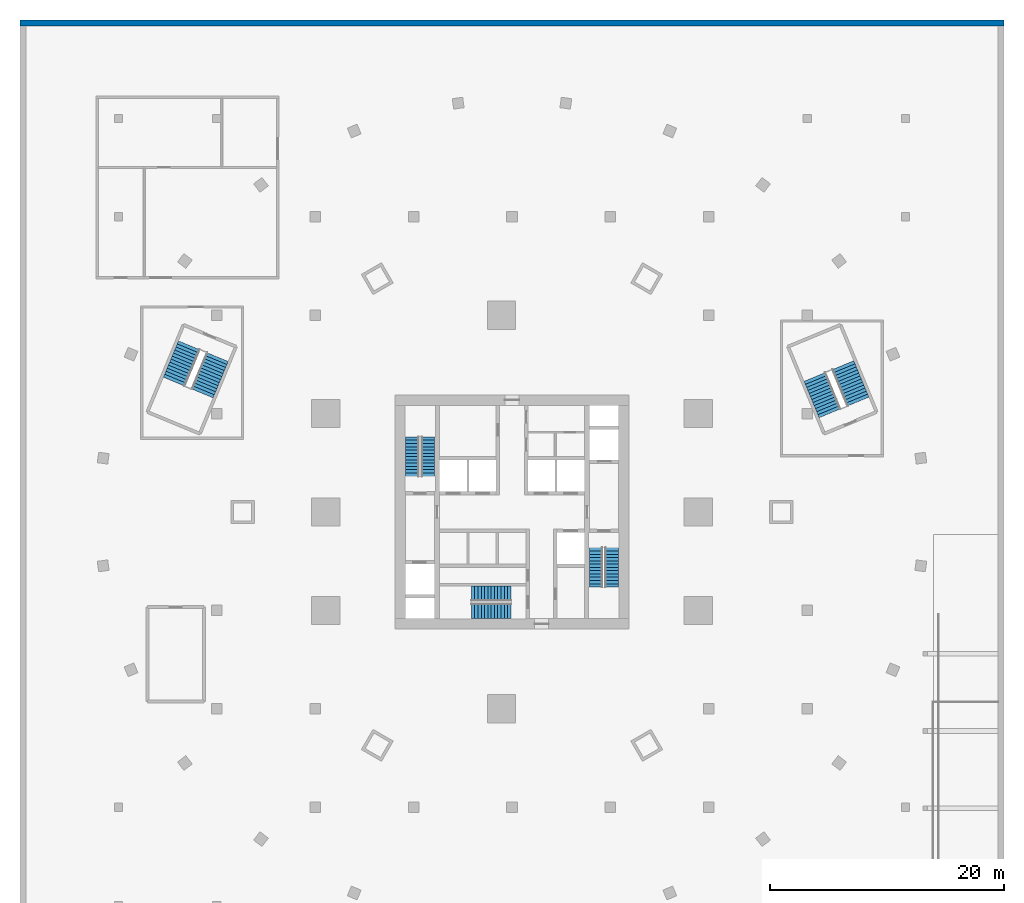
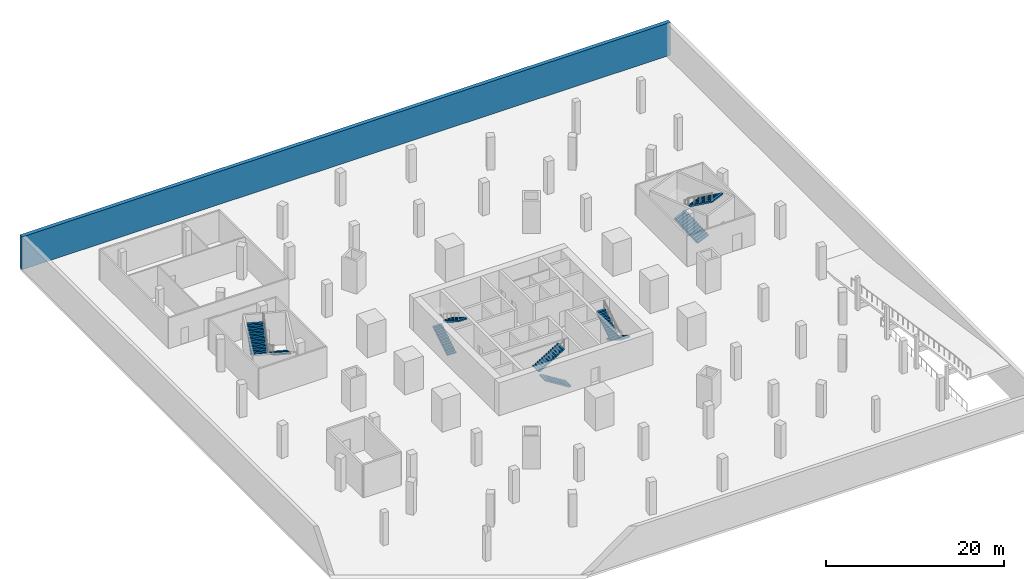
# One storey, part 7 of 9: 10 stair flights, 1 wall, 5 elements without a shape of their own.
"""IFC4 building model written with IfcOpenShell, lengths in metres."""

from ifc_helpers import new_model, si_unit, direction, frame, frame_2d, origin, place, context, subcontext, project, spatial, polyline, rectangle, outline, extrude, material, layer, layer_set, type_object, element, aggregate, save


model = new_model("IFC4")

# Units and contexts
model_context = context("Model", 3, precision=1e-05, world=origin(), true_north=direction((0.0, 1.0)))
body_context = subcontext(model_context, "Body", "Model", "MODEL_VIEW")
ifc_project = project(units=[si_unit("LENGTHUNIT", "METRE"), si_unit("AREAUNIT", "SQUARE_METRE"), si_unit("VOLUMEUNIT", "CUBIC_METRE"), si_unit("PLANEANGLEUNIT", "RADIAN"), si_unit("MASSUNIT", "GRAM", prefix="KILO")], contexts=[model_context])

# Site, building, storey
site_placement = place(None, origin())
site = spatial("IfcSite", under=ifc_project, at=site_placement, CompositionType="ELEMENT")
building_placement = place(site_placement, origin())
building = spatial("IfcBuilding", under=site, at=building_placement, Name="Golbaran Civic Tower", CompositionType="ELEMENT")
storey_placement = place(building_placement, frame((0.0, 0.0, -9.0)))
storey = spatial("IfcBuildingStorey", under=building, at=storey_placement, Name="B2", CompositionType="ELEMENT", Elevation=-9.0)

# Wall
ifc_material_1 = material(Name="Concrete C50/60", Category="concrete")
ifc_layer = layer(ifc_material_1, 0.5, Name="Concrete C50/60")
ifc_layer_set = layer_set([ifc_layer], Name="Concrete C50/60")
wall_type = type_object("IfcWallType", Name="BASEMENT RETAINING WALL CONCRETE 500", PredefinedType="SOLIDWALL", material=ifc_layer_set)
wall_placement = place(storey_placement, frame((-42.0, 41.75, 0.0), z_axis=(0.0, 0.0, 1.0), x_axis=(1.0, 0.0, 0.0)))
element("IfcWall", 1, at=wall_placement, inside=storey, type_object=wall_type, Name="Basement retaining wall N B2", PredefinedType="SOLIDWALL", context=body_context, shape_type="SweptSolid", body=[
    extrude(rectangle(XDim=84.0, YDim=0.5, at=frame_2d((42.0, 0.0))), origin(), (0.0, 0.0, 1.0), 4.5),
])

# Stair, stair flights
ifc_material_2 = material(Name="Concrete C35/45", Category="concrete")
stair_type_1 = type_object("IfcStairType", Name="EXIT STAIR 2500 x 7350, 4500 RISE", PredefinedType="HALF_TURN_STAIR", material=ifc_material_2)
stair_1_placement = place(storey_placement, origin())
stair_1 = element("IfcStair", 2, at=stair_1_placement, inside=storey, type_object=stair_type_1, Name="Stair S1 B2", PredefinedType="HALF_TURN_STAIR")
stair_flight_type_1 = type_object("IfcStairFlightType", Name="STAIR FLIGHT 1150 WIDE", PredefinedType="STRAIGHT", material=ifc_material_2)
stair_flight_1_placement = place(storey_placement, frame((-8.52490234375, 3.050048828125, 0.0), z_axis=(0.0, 0.0, 1.0), x_axis=(0.0, 1.0, 0.0)))
stair_flight_1 = element("IfcStairFlight", 3, at=stair_flight_1_placement, type_object=stair_flight_type_1, Name="ST25074-45 flight 1", NumberOfRisers=13, NumberOfTreads=12, PredefinedType="STRAIGHT", RiserHeight=0.173076923, TreadLength=0.28, context=body_context, shape_type="SweptSolid", body=[
    extrude(outline(polyline([(0.0, 0.0), (0.0, 0.173095703125), (0.280029296875, 0.173095703125), (0.280029296875, 0.34619140625), (0.56005859375, 0.34619140625), (0.56005859375, 0.519287109375), (0.840087890625, 0.519287109375), (0.840087890625, 0.6923828125), (1.1201171875, 0.6923828125), (1.1201171875, 0.865478515625), (1.39990234375, 0.865478515625), (1.39990234375, 1.03857421875), (1.679931640625, 1.03857421875), (1.679931640625, 1.21142578125), (1.9599609375, 1.21142578125), (1.9599609375, 1.384521484375), (2.239990234375, 1.384521484375), (2.239990234375, 1.5576171875), (2.52001953125, 1.5576171875), (2.52001953125, 1.730712890625), (2.800048828125, 1.730712890625), (2.800048828125, 1.90380859375), (3.080078125, 1.90380859375), (3.080078125, 2.076904296875), (3.360107421875, 2.076904296875), (3.360107421875, 2.25), (3.360107421875, 1.900634765625), (0.28515625, 0.0), (0.0, 0.0)])), frame((0.0, 0.574951171875, 0.0), z_axis=(0.0, -1.0, 0.0), x_axis=(1.0, 0.0, 0.0)), (0.0, 0.0, 1.0), 1.14990234375),
])
stair_flight_2_placement = place(storey_placement, frame((-7.175048828125, 6.409912109375, 2.25), z_axis=(0.0, 0.0, 1.0), x_axis=(0.0, -1.0, 0.0)))
stair_flight_2 = element("IfcStairFlight", 4, at=stair_flight_2_placement, type_object=stair_flight_type_1, Name="ST25074-45 flight 2", NumberOfRisers=13, NumberOfTreads=12, PredefinedType="STRAIGHT", RiserHeight=0.173076923, TreadLength=0.28, context=body_context, shape_type="SweptSolid", body=[
    extrude(outline(polyline([(0.0, 0.0), (0.0, 0.173095703125), (0.280029296875, 0.173095703125), (0.280029296875, 0.34619140625), (0.56005859375, 0.34619140625), (0.56005859375, 0.519287109375), (0.840087890625, 0.519287109375), (0.840087890625, 0.6923828125), (1.1201171875, 0.6923828125), (1.1201171875, 0.865478515625), (1.39990234375, 0.865478515625), (1.39990234375, 1.03857421875), (1.679931640625, 1.03857421875), (1.679931640625, 1.21142578125), (1.9599609375, 1.21142578125), (1.9599609375, 1.384521484375), (2.239990234375, 1.384521484375), (2.239990234375, 1.5576171875), (2.52001953125, 1.5576171875), (2.52001953125, 1.730712890625), (2.800048828125, 1.730712890625), (2.800048828125, 1.90380859375), (3.080078125, 1.90380859375), (3.080078125, 2.076904296875), (3.360107421875, 2.076904296875), (3.360107421875, 2.25), (3.360107421875, 1.900634765625), (0.28515625, 0.0), (0.0, 0.0)])), frame((0.0, 0.574951171875, 0.0), z_axis=(0.0, -1.0, 0.0), x_axis=(1.0, 0.0, 0.0)), (0.0, 0.0, 1.0), 1.14990234375),
])
aggregate(stair_1, [stair_flight_1, stair_flight_2])

stair_2_placement = place(storey_placement, origin())
stair_2 = element("IfcStair", 5, at=stair_2_placement, inside=storey, type_object=stair_type_1, Name="Stair S2 B2", PredefinedType="HALF_TURN_STAIR")
stair_flight_3_placement = place(storey_placement, frame((8.52490234375, -3.050048828125, 0.0), z_axis=(0.0, 0.0, 1.0), x_axis=(0.0, -1.0, 0.0)))
stair_flight_3 = element("IfcStairFlight", 6, at=stair_flight_3_placement, type_object=stair_flight_type_1, Name="ST25074-45 flight 1", NumberOfRisers=13, NumberOfTreads=12, PredefinedType="STRAIGHT", RiserHeight=0.173076923, TreadLength=0.28, context=body_context, shape_type="SweptSolid", body=[
    extrude(outline(polyline([(0.0, 0.0), (0.0, 0.173095703125), (0.280029296875, 0.173095703125), (0.280029296875, 0.34619140625), (0.56005859375, 0.34619140625), (0.56005859375, 0.519287109375), (0.840087890625, 0.519287109375), (0.840087890625, 0.6923828125), (1.1201171875, 0.6923828125), (1.1201171875, 0.865478515625), (1.39990234375, 0.865478515625), (1.39990234375, 1.03857421875), (1.679931640625, 1.03857421875), (1.679931640625, 1.21142578125), (1.9599609375, 1.21142578125), (1.9599609375, 1.384521484375), (2.239990234375, 1.384521484375), (2.239990234375, 1.5576171875), (2.52001953125, 1.5576171875), (2.52001953125, 1.730712890625), (2.800048828125, 1.730712890625), (2.800048828125, 1.90380859375), (3.080078125, 1.90380859375), (3.080078125, 2.076904296875), (3.360107421875, 2.076904296875), (3.360107421875, 2.25), (3.360107421875, 1.900634765625), (0.28515625, 0.0), (0.0, 0.0)])), frame((0.0, 0.574951171875, 0.0), z_axis=(0.0, -1.0, 0.0), x_axis=(1.0, 0.0, 0.0)), (0.0, 0.0, 1.0), 1.14990234375),
])
stair_flight_4_placement = place(storey_placement, frame((7.175048828125, -6.409912109375, 2.25), z_axis=(0.0, 0.0, 1.0), x_axis=(0.0, 1.0, 0.0)))
stair_flight_4 = element("IfcStairFlight", 7, at=stair_flight_4_placement, type_object=stair_flight_type_1, Name="ST25074-45 flight 2", NumberOfRisers=13, NumberOfTreads=12, PredefinedType="STRAIGHT", RiserHeight=0.173076923, TreadLength=0.28, context=body_context, shape_type="SweptSolid", body=[
    extrude(outline(polyline([(0.0, 0.0), (0.0, 0.173095703125), (0.280029296875, 0.173095703125), (0.280029296875, 0.34619140625), (0.56005859375, 0.34619140625), (0.56005859375, 0.519287109375), (0.840087890625, 0.519287109375), (0.840087890625, 0.6923828125), (1.1201171875, 0.6923828125), (1.1201171875, 0.865478515625), (1.39990234375, 0.865478515625), (1.39990234375, 1.03857421875), (1.679931640625, 1.03857421875), (1.679931640625, 1.21142578125), (1.9599609375, 1.21142578125), (1.9599609375, 1.384521484375), (2.239990234375, 1.384521484375), (2.239990234375, 1.5576171875), (2.52001953125, 1.5576171875), (2.52001953125, 1.730712890625), (2.800048828125, 1.730712890625), (2.800048828125, 1.90380859375), (3.080078125, 1.90380859375), (3.080078125, 2.076904296875), (3.360107421875, 2.076904296875), (3.360107421875, 2.25), (3.360107421875, 1.900634765625), (0.28515625, 0.0), (0.0, 0.0)])), frame((0.0, 0.574951171875, 0.0), z_axis=(0.0, -1.0, 0.0), x_axis=(1.0, 0.0, 0.0)), (0.0, 0.0, 1.0), 1.14990234375),
])
aggregate(stair_2, [stair_flight_3, stair_flight_4])

stair_type_2 = type_object("IfcStairType", Name="EXIT STAIR 2800 x 7400, 4500 RISE", PredefinedType="HALF_TURN_STAIR", material=ifc_material_2)
stair_3_placement = place(storey_placement, origin())
stair_3 = element("IfcStair", 8, at=stair_3_placement, inside=storey, type_object=stair_type_2, Name="Stair S3 B2", PredefinedType="HALF_TURN_STAIR")
stair_flight_type_2 = type_object("IfcStairFlightType", Name="STAIR FLIGHT 1300 WIDE", PredefinedType="STRAIGHT", material=ifc_material_2)
stair_flight_5_placement = place(storey_placement, frame((-0.10009765625, -8.449951171875, 0.0), z_axis=(0.0, 0.0, 1.0), x_axis=(-1.0, 0.0, 0.0)))
stair_flight_5 = element("IfcStairFlight", 9, at=stair_flight_5_placement, type_object=stair_flight_type_2, Name="ST28074-45 flight 1", NumberOfRisers=13, NumberOfTreads=12, PredefinedType="STRAIGHT", RiserHeight=0.173076923, TreadLength=0.28, context=body_context, shape_type="SweptSolid", body=[
    extrude(outline(polyline([(0.0, 0.0), (0.0, 0.173095703125), (0.280029296875, 0.173095703125), (0.280029296875, 0.34619140625), (0.56005859375, 0.34619140625), (0.56005859375, 0.519287109375), (0.840087890625, 0.519287109375), (0.840087890625, 0.6923828125), (1.1201171875, 0.6923828125), (1.1201171875, 0.865478515625), (1.39990234375, 0.865478515625), (1.39990234375, 1.03857421875), (1.679931640625, 1.03857421875), (1.679931640625, 1.21142578125), (1.9599609375, 1.21142578125), (1.9599609375, 1.384521484375), (2.239990234375, 1.384521484375), (2.239990234375, 1.5576171875), (2.52001953125, 1.5576171875), (2.52001953125, 1.730712890625), (2.800048828125, 1.730712890625), (2.800048828125, 1.90380859375), (3.080078125, 1.90380859375), (3.080078125, 2.076904296875), (3.360107421875, 2.076904296875), (3.360107421875, 2.25), (3.360107421875, 1.900634765625), (0.28515625, 0.0), (0.0, 0.0)])), frame((0.0, 0.64990234375, 0.0), z_axis=(0.0, -1.0, 0.0), x_axis=(1.0, 0.0, 0.0)), (0.0, 0.0, 1.0), 1.300048828125),
])
stair_flight_6_placement = place(storey_placement, frame((-3.4599609375, -6.949951171875, 2.25), z_axis=(0.0, 0.0, 1.0), x_axis=(1.0, 0.0, 0.0)))
stair_flight_6 = element("IfcStairFlight", 10, at=stair_flight_6_placement, type_object=stair_flight_type_2, Name="ST28074-45 flight 2", NumberOfRisers=13, NumberOfTreads=12, PredefinedType="STRAIGHT", RiserHeight=0.173076923, TreadLength=0.28, context=body_context, shape_type="SweptSolid", body=[
    extrude(outline(polyline([(0.0, 0.0), (0.0, 0.173095703125), (0.280029296875, 0.173095703125), (0.280029296875, 0.34619140625), (0.56005859375, 0.34619140625), (0.56005859375, 0.519287109375), (0.840087890625, 0.519287109375), (0.840087890625, 0.6923828125), (1.1201171875, 0.6923828125), (1.1201171875, 0.865478515625), (1.39990234375, 0.865478515625), (1.39990234375, 1.03857421875), (1.679931640625, 1.03857421875), (1.679931640625, 1.21142578125), (1.9599609375, 1.21142578125), (1.9599609375, 1.384521484375), (2.239990234375, 1.384521484375), (2.239990234375, 1.5576171875), (2.52001953125, 1.5576171875), (2.52001953125, 1.730712890625), (2.800048828125, 1.730712890625), (2.800048828125, 1.90380859375), (3.080078125, 1.90380859375), (3.080078125, 2.076904296875), (3.360107421875, 2.076904296875), (3.360107421875, 2.25), (3.360107421875, 1.900634765625), (0.28515625, 0.0), (0.0, 0.0)])), frame((0.0, 0.64990234375, 0.0), z_axis=(0.0, -1.0, 0.0), x_axis=(1.0, 0.0, 0.0)), (0.0, 0.0, 1.0), 1.300048828125),
])
aggregate(stair_3, [stair_flight_5, stair_flight_6])

stair_type_3 = type_object("IfcStairType", Name="EXIT STAIR 4600 x 7800, 4500 RISE", PredefinedType="HALF_TURN_STAIR", material=ifc_material_2)
stair_4_placement = place(storey_placement, origin())
stair_4 = element("IfcStair", 11, at=stair_4_placement, inside=storey, type_object=stair_type_3, Name="Stair P1 B2", PredefinedType="HALF_TURN_STAIR")
stair_flight_type_3 = type_object("IfcStairFlightType", Name="STAIR FLIGHT 2000 WIDE", PredefinedType="STRAIGHT", material=ifc_material_2)
stair_flight_7_placement = place(storey_placement, frame((27.140869140625, 8.427734375, 0.0), z_axis=(0.0, 0.0, 1.0), x_axis=(-0.382683432365, 0.923879532511, 0.0)))
stair_flight_7 = element("IfcStairFlight", 12, at=stair_flight_7_placement, type_object=stair_flight_type_3, Name="ST46078-45 flight 1", NumberOfRisers=13, NumberOfTreads=12, PredefinedType="STRAIGHT", RiserHeight=0.173076923, TreadLength=0.28, context=body_context, shape_type="SweptSolid", body=[
    extrude(outline(polyline([(0.0, 0.0), (0.0, 0.173095703125), (0.280029296875, 0.173095703125), (0.280029296875, 0.34619140625), (0.56005859375, 0.34619140625), (0.56005859375, 0.519287109375), (0.840087890625, 0.519287109375), (0.840087890625, 0.6923828125), (1.1201171875, 0.6923828125), (1.1201171875, 0.865478515625), (1.39990234375, 0.865478515625), (1.39990234375, 1.03857421875), (1.679931640625, 1.03857421875), (1.679931640625, 1.21142578125), (1.9599609375, 1.21142578125), (1.9599609375, 1.384521484375), (2.239990234375, 1.384521484375), (2.239990234375, 1.5576171875), (2.52001953125, 1.5576171875), (2.52001953125, 1.730712890625), (2.800048828125, 1.730712890625), (2.800048828125, 1.90380859375), (3.080078125, 1.90380859375), (3.080078125, 2.076904296875), (3.360107421875, 2.076904296875), (3.360107421875, 2.25), (3.360107421875, 1.900634765625), (0.28515625, 0.0), (0.0, 0.0)])), frame((0.0, 1.0, 0.0), z_axis=(0.0, -1.0, 0.0), x_axis=(1.0, 0.0, 0.0)), (0.0, 0.0, 1.0), 2.0),
])
stair_flight_8_placement = place(storey_placement, frame((28.257080078125, 12.527099609375, 2.25), z_axis=(0.0, 0.0, 1.0), x_axis=(0.382683432365, -0.923879532511, 0.0)))
stair_flight_8 = element("IfcStairFlight", 13, at=stair_flight_8_placement, type_object=stair_flight_type_3, Name="ST46078-45 flight 2", NumberOfRisers=13, NumberOfTreads=12, PredefinedType="STRAIGHT", RiserHeight=0.173076923, TreadLength=0.28, context=body_context, shape_type="SweptSolid", body=[
    extrude(outline(polyline([(0.0, 0.0), (0.0, 0.173095703125), (0.280029296875, 0.173095703125), (0.280029296875, 0.34619140625), (0.56005859375, 0.34619140625), (0.56005859375, 0.519287109375), (0.840087890625, 0.519287109375), (0.840087890625, 0.6923828125), (1.1201171875, 0.6923828125), (1.1201171875, 0.865478515625), (1.39990234375, 0.865478515625), (1.39990234375, 1.03857421875), (1.679931640625, 1.03857421875), (1.679931640625, 1.21142578125), (1.9599609375, 1.21142578125), (1.9599609375, 1.384521484375), (2.239990234375, 1.384521484375), (2.239990234375, 1.5576171875), (2.52001953125, 1.5576171875), (2.52001953125, 1.730712890625), (2.800048828125, 1.730712890625), (2.800048828125, 1.90380859375), (3.080078125, 1.90380859375), (3.080078125, 2.076904296875), (3.360107421875, 2.076904296875), (3.360107421875, 2.25), (3.360107421875, 1.900634765625), (0.28515625, 0.0), (0.0, 0.0)])), frame((0.0, 1.0, 0.0), z_axis=(0.0, -1.0, 0.0), x_axis=(1.0, 0.0, 0.0)), (0.0, 0.0, 1.0), 2.0),
])
aggregate(stair_4, [stair_flight_7, stair_flight_8])

stair_5_placement = place(storey_placement, origin())
stair_5 = element("IfcStair", 14, at=stair_5_placement, inside=storey, type_object=stair_type_3, Name="Stair P2 B2", PredefinedType="HALF_TURN_STAIR")
stair_flight_9_placement = place(storey_placement, frame((-25.15087890625, 13.23193359375, 0.0), z_axis=(0.0, 0.0, 1.0), x_axis=(-0.382683432365, -0.923879532511, 0.0)))
stair_flight_9 = element("IfcStairFlight", 15, at=stair_flight_9_placement, type_object=stair_flight_type_3, Name="ST46078-45 flight 1", NumberOfRisers=13, NumberOfTreads=12, PredefinedType="STRAIGHT", RiserHeight=0.173076923, TreadLength=0.28, context=body_context, shape_type="SweptSolid", body=[
    extrude(outline(polyline([(0.0, 0.0), (0.0, 0.173095703125), (0.280029296875, 0.173095703125), (0.280029296875, 0.34619140625), (0.56005859375, 0.34619140625), (0.56005859375, 0.519287109375), (0.840087890625, 0.519287109375), (0.840087890625, 0.6923828125), (1.1201171875, 0.6923828125), (1.1201171875, 0.865478515625), (1.39990234375, 0.865478515625), (1.39990234375, 1.03857421875), (1.679931640625, 1.03857421875), (1.679931640625, 1.21142578125), (1.9599609375, 1.21142578125), (1.9599609375, 1.384521484375), (2.239990234375, 1.384521484375), (2.239990234375, 1.5576171875), (2.52001953125, 1.5576171875), (2.52001953125, 1.730712890625), (2.800048828125, 1.730712890625), (2.800048828125, 1.90380859375), (3.080078125, 1.90380859375), (3.080078125, 2.076904296875), (3.360107421875, 2.076904296875), (3.360107421875, 2.25), (3.360107421875, 1.900634765625), (0.28515625, 0.0), (0.0, 0.0)])), frame((0.0, 1.0, 0.0), z_axis=(0.0, -1.0, 0.0), x_axis=(1.0, 0.0, 0.0)), (0.0, 0.0, 1.0), 2.0),
])
stair_flight_10_placement = place(storey_placement, frame((-28.838623046875, 11.122802734375, 2.25), z_axis=(0.0, 0.0, 1.0), x_axis=(0.382683432365, 0.923879532511, 0.0)))
stair_flight_10 = element("IfcStairFlight", 16, at=stair_flight_10_placement, type_object=stair_flight_type_3, Name="ST46078-45 flight 2", NumberOfRisers=13, NumberOfTreads=12, PredefinedType="STRAIGHT", RiserHeight=0.173076923, TreadLength=0.28, context=body_context, shape_type="SweptSolid", body=[
    extrude(outline(polyline([(0.0, 0.0), (0.0, 0.173095703125), (0.280029296875, 0.173095703125), (0.280029296875, 0.34619140625), (0.56005859375, 0.34619140625), (0.56005859375, 0.519287109375), (0.840087890625, 0.519287109375), (0.840087890625, 0.6923828125), (1.1201171875, 0.6923828125), (1.1201171875, 0.865478515625), (1.39990234375, 0.865478515625), (1.39990234375, 1.03857421875), (1.679931640625, 1.03857421875), (1.679931640625, 1.21142578125), (1.9599609375, 1.21142578125), (1.9599609375, 1.384521484375), (2.239990234375, 1.384521484375), (2.239990234375, 1.5576171875), (2.52001953125, 1.5576171875), (2.52001953125, 1.730712890625), (2.800048828125, 1.730712890625), (2.800048828125, 1.90380859375), (3.080078125, 1.90380859375), (3.080078125, 2.076904296875), (3.360107421875, 2.076904296875), (3.360107421875, 2.25), (3.360107421875, 1.900634765625), (0.28515625, 0.0), (0.0, 0.0)])), frame((0.0, 1.0, 0.0), z_axis=(0.0, -1.0, 0.0), x_axis=(1.0, 0.0, 0.0)), (0.0, 0.0, 1.0), 2.0),
])
aggregate(stair_5, [stair_flight_9, stair_flight_10])

save(model, "model.ifc")
